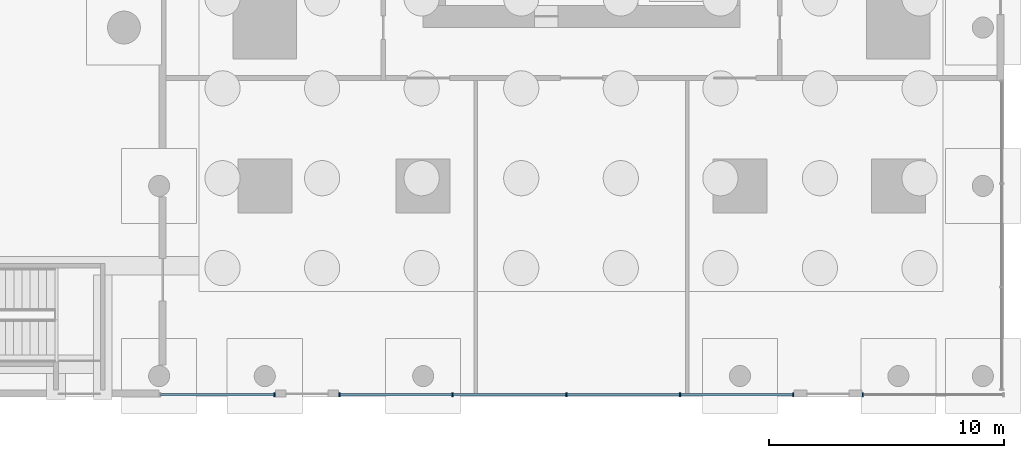
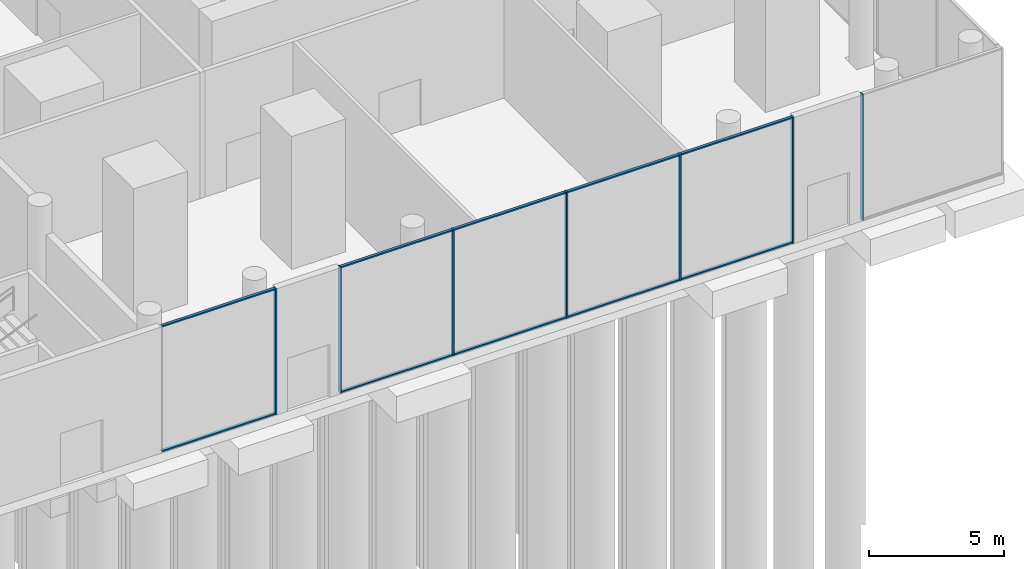
# One storey, part 10 of 31: 17 members, 3 elements without a shape of their own.
"""IFC4 building model written with IfcOpenShell, lengths in metres."""

from ifc_helpers import new_model, si_unit, direction, frame, origin, origin_2d, place, context, subcontext, project, spatial, rectangle, extrude, material, layer, layer_set, material_profile, profile_set, type_object, element, aggregate, save


model = new_model("IFC4")

# Units and contexts
model_context = context("Model", 3, precision=1e-05, world=origin(), true_north=direction((0.0, 1.0)))
body_context = subcontext(model_context, "Body", "Model", "MODEL_VIEW")
ifc_project = project(units=[si_unit("LENGTHUNIT", "METRE"), si_unit("AREAUNIT", "SQUARE_METRE"), si_unit("VOLUMEUNIT", "CUBIC_METRE"), si_unit("PLANEANGLEUNIT", "RADIAN"), si_unit("MASSUNIT", "GRAM", prefix="KILO")], contexts=[model_context])

# Site, building, storey
site_placement = place(None, origin())
site = spatial("IfcSite", under=ifc_project, at=site_placement, CompositionType="ELEMENT")
building_placement = place(site_placement, origin())
building = spatial("IfcBuilding", under=site, at=building_placement, Name="Namib Vertical Campus", CompositionType="ELEMENT")
storey_placement = place(building_placement, origin())
storey = spatial("IfcBuildingStorey", under=building, at=storey_placement, Name="L00", CompositionType="ELEMENT", Elevation=0.0)

# Curtain wall, member
ifc_material_1 = material(Name="Black aluminium curtain wall", Category="aluminium")
ifc_layer = layer(ifc_material_1, 0.199951171875)
ifc_layer_set = layer_set([ifc_layer], Name="Entrance curtain wall CW-EN")
curtain_wall_type = type_object("IfcCurtainWallType", Name="Entrance curtain wall CW-EN", PredefinedType="USERDEFINED", material=ifc_layer_set)
curtain_wall_1_placement = place(storey_placement, origin())
curtain_wall_1 = element("IfcCurtainWall", 1, at=curtain_wall_1_placement, inside=storey, type_object=curtain_wall_type, Name="Curtain wall CW-EN L00 9-1", ObjectType="CURTAIN WALL", PredefinedType="USERDEFINED")
ifc_material_2 = material(Name="Black anodised aluminium", Category="aluminium")
ifc_material_profile_1 = material_profile(ifc_material_2, rectangle(XDim=0.06005859375, YDim=0.159912109375, at=origin_2d()))
ifc_profile_set_1 = profile_set([ifc_material_profile_1], Name="Black anodised aluminium")
member_type_1 = type_object("IfcMemberType", Name="Curtain wall mullion 60x160", PredefinedType="MULLION", material=ifc_profile_set_1)
member_1_placement = place(storey_placement, frame((67.919921875, -4.39990234375, 0.0), z_axis=(0.0, 0.0, 1.0), x_axis=(1.0, 0.0, 0.0)))
member_1 = element("IfcMember", 2, at=member_1_placement, type_object=member_type_1, Name="CW-EN mullion 2", PredefinedType="MULLION", context=body_context, shape_type="SweptSolid", body=[
    extrude(rectangle(XDim=0.06005859375, YDim=0.159912109375, at=origin_2d()), origin(), (0.0, 0.0, 1.0), 5.699951171875),
])

# Curtain wall, members
curtain_wall_2_placement = place(storey_placement, origin())
curtain_wall_2 = element("IfcCurtainWall", 3, at=curtain_wall_2_placement, inside=storey, type_object=curtain_wall_type, Name="Curtain wall CW-EN L00 11-1", ObjectType="CURTAIN WALL", PredefinedType="USERDEFINED")
member_2_placement = place(storey_placement, frame((70.679931640625, -4.39990234375, 0.0), z_axis=(0.0, 0.0, 1.0), x_axis=(1.0, 0.0, 0.0)))
member_2 = element("IfcMember", 4, at=member_2_placement, type_object=member_type_1, Name="CW-EN mullion 1", PredefinedType="MULLION", context=body_context, shape_type="SweptSolid", body=[
    extrude(rectangle(XDim=0.06005859375, YDim=0.159912109375, at=origin_2d()), origin(), (0.0, 0.0, 1.0), 5.699951171875),
])
member_3_placement = place(storey_placement, frame((75.5, -4.39990234375, 0.0), z_axis=(0.0, 0.0, 1.0), x_axis=(1.0, 0.0, 0.0)))
member_3 = element("IfcMember", 5, at=member_3_placement, type_object=member_type_1, Name="CW-EN mullion 2", PredefinedType="MULLION", context=body_context, shape_type="SweptSolid", body=[
    extrude(rectangle(XDim=0.06005859375, YDim=0.159912109375, at=origin_2d()), origin(), (0.0, 0.0, 1.0), 5.699951171875),
])
member_4_placement = place(storey_placement, frame((80.35009765625, -4.39990234375, 0.0), z_axis=(0.0, 0.0, 1.0), x_axis=(1.0, 0.0, 0.0)))
member_4 = element("IfcMember", 6, at=member_4_placement, type_object=member_type_1, Name="CW-EN mullion 3", PredefinedType="MULLION", context=body_context, shape_type="SweptSolid", body=[
    extrude(rectangle(XDim=0.06005859375, YDim=0.159912109375, at=origin_2d()), origin(), (0.0, 0.0, 1.0), 5.699951171875),
])
member_5_placement = place(storey_placement, frame((85.199951171875, -4.39990234375, 0.0), z_axis=(0.0, 0.0, 1.0), x_axis=(1.0, 0.0, 0.0)))
member_5 = element("IfcMember", 7, at=member_5_placement, type_object=member_type_1, Name="CW-EN mullion 4", PredefinedType="MULLION", context=body_context, shape_type="SweptSolid", body=[
    extrude(rectangle(XDim=0.06005859375, YDim=0.159912109375, at=origin_2d()), origin(), (0.0, 0.0, 1.0), 5.699951171875),
])
member_6_placement = place(storey_placement, frame((90.02001953125, -4.39990234375, 0.0), z_axis=(0.0, 0.0, 1.0), x_axis=(1.0, 0.0, 0.0)))
member_6 = element("IfcMember", 8, at=member_6_placement, type_object=member_type_1, Name="CW-EN mullion 5", PredefinedType="MULLION", context=body_context, shape_type="SweptSolid", body=[
    extrude(rectangle(XDim=0.06005859375, YDim=0.159912109375, at=origin_2d()), origin(), (0.0, 0.0, 1.0), 5.699951171875),
])

# Curtain wall, member
curtain_wall_3_placement = place(storey_placement, origin())
curtain_wall_3 = element("IfcCurtainWall", 9, at=curtain_wall_3_placement, inside=storey, type_object=curtain_wall_type, Name="Curtain wall CW-EN L00 13-1", ObjectType="CURTAIN WALL", PredefinedType="USERDEFINED")
member_7_placement = place(storey_placement, frame((92.97998046875, -4.39990234375, 0.0), z_axis=(0.0, 0.0, 1.0), x_axis=(1.0, 0.0, 0.0)))
member_7 = element("IfcMember", 10, at=member_7_placement, type_object=member_type_1, Name="CW-EN mullion 1", PredefinedType="MULLION", context=body_context, shape_type="SweptSolid", body=[
    extrude(rectangle(XDim=0.06005859375, YDim=0.159912109375, at=origin_2d()), origin(), (0.0, 0.0, 1.0), 5.699951171875),
])
aggregate(curtain_wall_3, [member_7])

# Member
ifc_material_3 = material(Name="Black anodised aluminium", Category="aluminium")
ifc_material_profile_2 = material_profile(ifc_material_3, rectangle(XDim=0.06005859375, YDim=0.1201171875, at=origin_2d()))
ifc_profile_set_2 = profile_set([ifc_material_profile_2], Name="Black anodised aluminium")
member_type_2 = type_object("IfcMemberType", Name="Curtain wall transom 60x120", PredefinedType="USERDEFINED", material=ifc_profile_set_2)
member_8_placement = place(storey_placement, frame((63.06005859375, -4.39990234375, 0.030029296875), z_axis=(1.0, 0.0, 0.0), x_axis=(0.0, 0.0, 1.0)))
member_8 = element("IfcMember", 11, at=member_8_placement, type_object=member_type_2, Name="CW-EN transom 1.1", ObjectType="TRANSOM", PredefinedType="USERDEFINED", context=body_context, shape_type="SweptSolid", body=[
    extrude(rectangle(XDim=0.06005859375, YDim=0.1201171875, at=origin_2d()), origin(), (0.0, 0.0, 1.0), 4.829833984375),
])

member_9_placement = place(storey_placement, frame((63.06005859375, -4.39990234375, 5.669921875), z_axis=(1.0, 0.0, 0.0), x_axis=(0.0, 0.0, 1.0)))
member_9 = element("IfcMember", 12, at=member_9_placement, type_object=member_type_2, Name="CW-EN transom 1.2", ObjectType="TRANSOM", PredefinedType="USERDEFINED", context=body_context, shape_type="SweptSolid", body=[
    extrude(rectangle(XDim=0.06005859375, YDim=0.1201171875, at=origin_2d()), origin(), (0.0, 0.0, 1.0), 4.829833984375),
])

aggregate(curtain_wall_1, [member_1, member_8, member_9])

member_10_placement = place(storey_placement, frame((70.7099609375, -4.39990234375, 0.030029296875), z_axis=(1.0, 0.0, 0.0), x_axis=(0.0, 0.0, 1.0)))
member_10 = element("IfcMember", 13, at=member_10_placement, type_object=member_type_2, Name="CW-EN transom 1.1", ObjectType="TRANSOM", PredefinedType="USERDEFINED", context=body_context, shape_type="SweptSolid", body=[
    extrude(rectangle(XDim=0.06005859375, YDim=0.1201171875, at=origin_2d()), origin(), (0.0, 0.0, 1.0), 4.760009765625),
])

member_11_placement = place(storey_placement, frame((70.7099609375, -4.39990234375, 5.669921875), z_axis=(1.0, 0.0, 0.0), x_axis=(0.0, 0.0, 1.0)))
member_11 = element("IfcMember", 14, at=member_11_placement, type_object=member_type_2, Name="CW-EN transom 1.2", ObjectType="TRANSOM", PredefinedType="USERDEFINED", context=body_context, shape_type="SweptSolid", body=[
    extrude(rectangle(XDim=0.06005859375, YDim=0.1201171875, at=origin_2d()), origin(), (0.0, 0.0, 1.0), 4.760009765625),
])

member_12_placement = place(storey_placement, frame((75.530029296875, -4.39990234375, 0.030029296875), z_axis=(1.0, 0.0, 0.0), x_axis=(0.0, 0.0, 1.0)))
member_12 = element("IfcMember", 15, at=member_12_placement, type_object=member_type_2, Name="CW-EN transom 2.1", ObjectType="TRANSOM", PredefinedType="USERDEFINED", context=body_context, shape_type="SweptSolid", body=[
    extrude(rectangle(XDim=0.06005859375, YDim=0.1201171875, at=origin_2d()), origin(), (0.0, 0.0, 1.0), 4.7900390625),
])

member_13_placement = place(storey_placement, frame((75.530029296875, -4.39990234375, 5.669921875), z_axis=(1.0, 0.0, 0.0), x_axis=(0.0, 0.0, 1.0)))
member_13 = element("IfcMember", 16, at=member_13_placement, type_object=member_type_2, Name="CW-EN transom 2.2", ObjectType="TRANSOM", PredefinedType="USERDEFINED", context=body_context, shape_type="SweptSolid", body=[
    extrude(rectangle(XDim=0.06005859375, YDim=0.1201171875, at=origin_2d()), origin(), (0.0, 0.0, 1.0), 4.7900390625),
])

member_14_placement = place(storey_placement, frame((80.3798828125, -4.39990234375, 0.030029296875), z_axis=(1.0, 0.0, 0.0), x_axis=(0.0, 0.0, 1.0)))
member_14 = element("IfcMember", 17, at=member_14_placement, type_object=member_type_2, Name="CW-EN transom 3.1", ObjectType="TRANSOM", PredefinedType="USERDEFINED", context=body_context, shape_type="SweptSolid", body=[
    extrude(rectangle(XDim=0.06005859375, YDim=0.1201171875, at=origin_2d()), origin(), (0.0, 0.0, 1.0), 4.7900390625),
])

member_15_placement = place(storey_placement, frame((80.3798828125, -4.39990234375, 5.669921875), z_axis=(1.0, 0.0, 0.0), x_axis=(0.0, 0.0, 1.0)))
member_15 = element("IfcMember", 18, at=member_15_placement, type_object=member_type_2, Name="CW-EN transom 3.2", ObjectType="TRANSOM", PredefinedType="USERDEFINED", context=body_context, shape_type="SweptSolid", body=[
    extrude(rectangle(XDim=0.06005859375, YDim=0.1201171875, at=origin_2d()), origin(), (0.0, 0.0, 1.0), 4.7900390625),
])

member_16_placement = place(storey_placement, frame((85.22998046875, -4.39990234375, 0.030029296875), z_axis=(1.0, 0.0, 0.0), x_axis=(0.0, 0.0, 1.0)))
member_16 = element("IfcMember", 19, at=member_16_placement, type_object=member_type_2, Name="CW-EN transom 4.1", ObjectType="TRANSOM", PredefinedType="USERDEFINED", context=body_context, shape_type="SweptSolid", body=[
    extrude(rectangle(XDim=0.06005859375, YDim=0.1201171875, at=origin_2d()), origin(), (0.0, 0.0, 1.0), 4.760009765625),
])

member_17_placement = place(storey_placement, frame((85.22998046875, -4.39990234375, 5.669921875), z_axis=(1.0, 0.0, 0.0), x_axis=(0.0, 0.0, 1.0)))
member_17 = element("IfcMember", 20, at=member_17_placement, type_object=member_type_2, Name="CW-EN transom 4.2", ObjectType="TRANSOM", PredefinedType="USERDEFINED", context=body_context, shape_type="SweptSolid", body=[
    extrude(rectangle(XDim=0.06005859375, YDim=0.1201171875, at=origin_2d()), origin(), (0.0, 0.0, 1.0), 4.760009765625),
])

aggregate(curtain_wall_2, [member_2, member_3, member_4, member_5, member_6, member_10, member_11, member_12, member_13, member_14, member_15, member_16, member_17])

save(model, "model.ifc")
